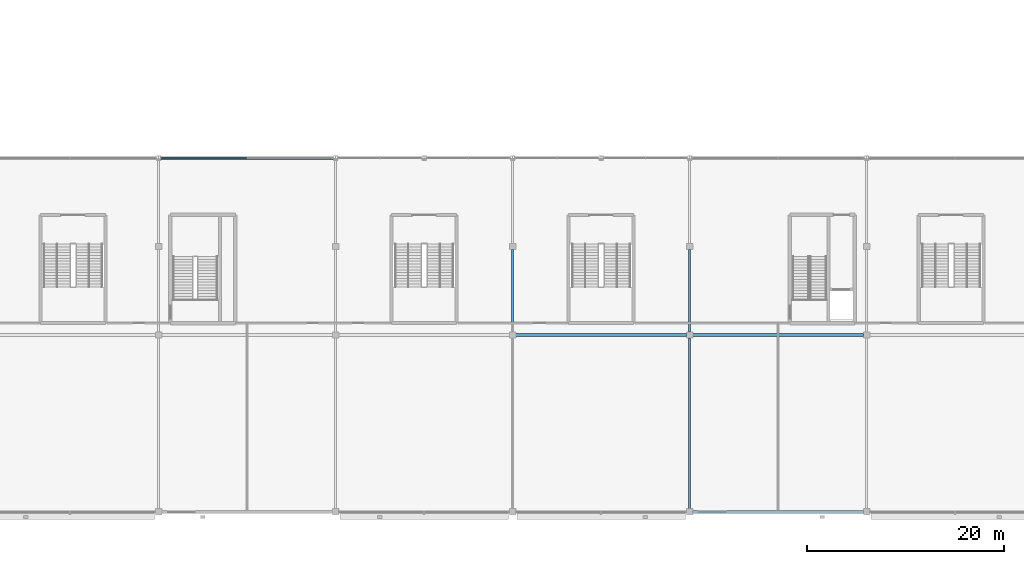
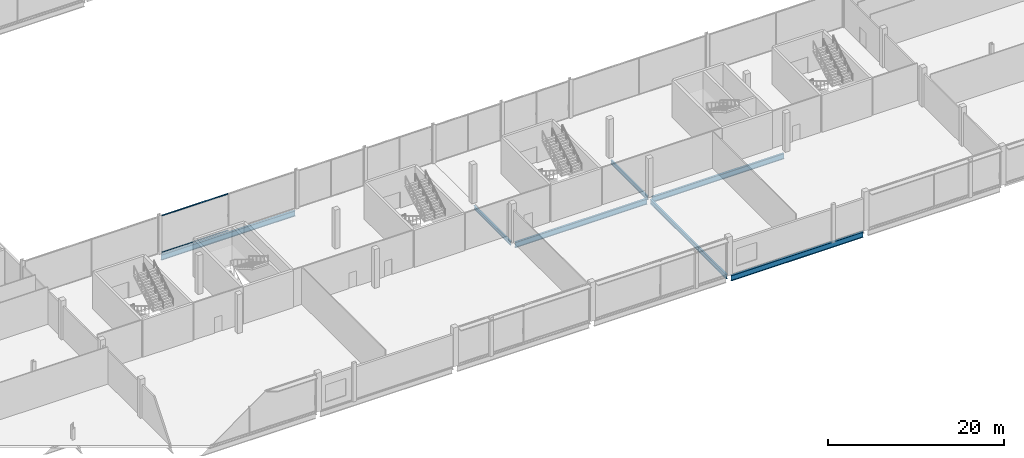
# One storey, part 22 of 111: 7 beams, 2 members, 1 element without a shape of its own.
"""IFC4 building model written with IfcOpenShell, lengths in metres."""

from ifc_helpers import new_model, si_unit, direction, frame, origin, origin_2d, place, context, subcontext, project, spatial, rectangle, i_section, extrude, material, layer, layer_set, material_profile, profile_set, type_object, element, aggregate, save


model = new_model("IFC4")

# Units and contexts
model_context = context("Model", 3, precision=1e-05, world=origin(), true_north=direction((0.0, 1.0)))
body_context = subcontext(model_context, "Body", "Model", "MODEL_VIEW")
ifc_project = project(units=[si_unit("LENGTHUNIT", "METRE"), si_unit("AREAUNIT", "SQUARE_METRE"), si_unit("VOLUMEUNIT", "CUBIC_METRE"), si_unit("PLANEANGLEUNIT", "RADIAN"), si_unit("MASSUNIT", "GRAM", prefix="KILO")], contexts=[model_context])

# Site, building, storey
site_placement = place(None, origin())
site = spatial("IfcSite", under=ifc_project, at=site_placement, CompositionType="ELEMENT")
building_placement = place(site_placement, origin())
building = spatial("IfcBuilding", under=site, at=building_placement, Name="Kisiwana Market Hall", CompositionType="ELEMENT")
storey_placement = place(building_placement, frame((0.0, 0.0, 11.39990234375)))
storey = spatial("IfcBuildingStorey", under=building, at=storey_placement, Name="L02", CompositionType="ELEMENT", Elevation=11.39990234375)

# Beams
ifc_material_1 = material(Name="Steel S355", Category="steel")
ifc_material_profile_1 = material_profile(ifc_material_1, i_section(OverallWidth=0.209228515625, OverallDepth=0.533203125, WebThickness=0.010009765625, FlangeThickness=0.015625, at=origin_2d()), Name="UB 533x210x92")
ifc_profile_set_1 = profile_set([ifc_material_profile_1], Name="Steel S355")
beam_type_1 = type_object("IfcBeamType", Name="BM-GIRD-UB533", PredefinedType="BEAM", material=ifc_profile_set_1)
for number, where, z_axis, x_axis, name in (
    (1, (99.0, 18.321044921875, -0.516357421875), (0.0, 1.0, 0.0), (-1.0, 0.0, 0.0), "Primary girder B-0644"),
    (2, (117.0, 18.321044921875, -0.516357421875), (0.0, 1.0, 0.0), (-1.0, 0.0, 0.0), "Primary girder B-0650"),
):
    element("IfcBeam", number, at=place(storey_placement, frame(where, z_axis=z_axis, x_axis=x_axis)), inside=storey, type_object=beam_type_1, Name=name, PredefinedType="BEAM", context=body_context, shape_type="SweptSolid", body=[
        extrude(i_section(OverallWidth=0.209228515625, OverallDepth=0.533203125, WebThickness=0.010009765625, FlangeThickness=0.015625, at=origin_2d()), origin(), (0.0, 0.0, 1.0), 8.35791015625),
    ])
ifc_material_2 = material(Name="Steel S355", Category="steel")
ifc_material_profile_2 = material_profile(ifc_material_2, i_section(OverallWidth=0.22900390625, OverallDepth=0.6123046875, WebThickness=0.011962890625, FlangeThickness=0.01953125, at=origin_2d()), Name="UB 610x229x125")
ifc_profile_set_2 = profile_set([ifc_material_profile_2], Name="Steel S355")
beam_type_2 = type_object("IfcBeamType", Name="BM-GIRD-UB610H", PredefinedType="BEAM", material=ifc_profile_set_2)
beam_1_placement = place(storey_placement, frame((117.0, 0.321044921875, -0.555908203125), z_axis=(0.0, 1.0, 0.0), x_axis=(-1.0, 0.0, 0.0)))
element("IfcBeam", 3, at=beam_1_placement, inside=storey, type_object=beam_type_2, Name="Primary girder B-0649", PredefinedType="BEAM", context=body_context, shape_type="SweptSolid", body=[
    extrude(i_section(OverallWidth=0.22900390625, OverallDepth=0.6123046875, WebThickness=0.011962890625, FlangeThickness=0.01953125, at=origin_2d()), origin(), (0.0, 0.0, 1.0), 17.35791015625),
])
ifc_material_3 = material(Name="Steel S355", Category="steel")
ifc_material_profile_3 = material_profile(ifc_material_3, i_section(OverallWidth=0.2666015625, OverallDepth=0.76220703125, WebThickness=0.014404296875, FlangeThickness=0.021484375, at=origin_2d()), Name="UB 762x267x173")
ifc_profile_set_3 = profile_set([ifc_material_profile_3], Name="Steel S355")
beam_type_3 = type_object("IfcBeamType", Name="BM-GIRD-UB762", PredefinedType="BEAM", material=ifc_profile_set_3)
for number, where, z_axis, x_axis, name in (
    (4, (117.321044921875, 0.0, -0.631103515625), (1.0, 0.0, 0.0), (0.0, 1.0, 0.0), "Floor beam B-0727"),
    (5, (99.321044921875, 18.0, -0.631103515625), (1.0, 0.0, 0.0), (0.0, 1.0, 0.0), "Floor beam B-0748"),
    (6, (117.321044921875, 18.0, -0.631103515625), (1.0, 0.0, 0.0), (0.0, 1.0, 0.0), "Floor beam B-0749"),
):
    element("IfcBeam", number, at=place(storey_placement, frame(where, z_axis=z_axis, x_axis=x_axis)), inside=storey, type_object=beam_type_3, Name=name, PredefinedType="BEAM", context=body_context, shape_type="SweptSolid", body=[
        extrude(i_section(OverallWidth=0.2666015625, OverallDepth=0.76220703125, WebThickness=0.014404296875, FlangeThickness=0.021484375, at=origin_2d()), origin(), (0.0, 0.0, 1.0), 17.35791015625),
    ])
beam_2_placement = place(storey_placement, frame((63.201904296875, 36.0, -0.631103515625), z_axis=(1.0, 0.0, 0.0), x_axis=(0.0, 1.0, 0.0)))
element("IfcBeam", 7, at=beam_2_placement, inside=storey, type_object=beam_type_3, Name="Floor beam B-0760", PredefinedType="BEAM", context=body_context, shape_type="SweptSolid", body=[
    extrude(i_section(OverallWidth=0.2666015625, OverallDepth=0.76220703125, WebThickness=0.014404296875, FlangeThickness=0.021484375, at=origin_2d()), origin(), (0.0, 0.0, 1.0), 17.59619140625),
])

# Curtain wall, members
ifc_material_4 = material(Name="Double-glazed solar-control low-E IGU", Category="glass")
ifc_layer = layer(ifc_material_4, 0.159912109375)
ifc_layer_set = layer_set([ifc_layer], Name="CW-GLD-E-7200")
curtain_wall_type = type_object("IfcCurtainWallType", Name="CW-GLD-E-7200", PredefinedType="USERDEFINED", material=ifc_layer_set)
curtain_wall_placement = place(storey_placement, origin())
curtain_wall = element("IfcCurtainWall", 8, at=curtain_wall_placement, inside=storey, type_object=curtain_wall_type, Name="Unitised curtain wall CW-064 (L02)", ObjectType="UNITISED CURTAIN WALL", PredefinedType="USERDEFINED")
ifc_material_5 = material(Name="Aluminium alloy 6063-T6", Category="aluminium")
ifc_material_profile_4 = material_profile(ifc_material_5, rectangle(XDim=0.1201171875, YDim=0.06005859375, at=origin_2d()), Name="ALU TRANSOM 60x120")
ifc_profile_set_4 = profile_set([ifc_material_profile_4], Name="Aluminium alloy 6063-T6")
member_type = type_object("IfcMemberType", Name="CW-TRAN-60x120", PredefinedType="USERDEFINED", material=ifc_profile_set_4)
member_1_placement = place(storey_placement, frame((63.26611328125, 36.0, 0.030029296875), z_axis=(1.0, 0.0, 0.0), x_axis=(0.0, 1.0, 0.0)))
member_1 = element("IfcMember", 9, at=member_1_placement, type_object=member_type, Name="CW-064 transom 1.1", ObjectType="TRANSOM", PredefinedType="USERDEFINED", context=body_context, shape_type="SweptSolid", body=[
    extrude(rectangle(XDim=0.1201171875, YDim=0.06005859375, at=origin_2d()), origin(), (0.0, 0.0, 1.0), 8.703857421875),
])
member_2_placement = place(storey_placement, frame((63.26611328125, 36.0, 5.1201171875), z_axis=(1.0, 0.0, 0.0), x_axis=(0.0, 1.0, 0.0)))
member_2 = element("IfcMember", 10, at=member_2_placement, type_object=member_type, Name="CW-064 transom 1.2", ObjectType="TRANSOM", PredefinedType="USERDEFINED", context=body_context, shape_type="SweptSolid", body=[
    extrude(rectangle(XDim=0.1201171875, YDim=0.06005859375, at=origin_2d()), origin(), (0.0, 0.0, 1.0), 8.703857421875),
])
aggregate(curtain_wall, [member_1, member_2])

save(model, "model.ifc")
